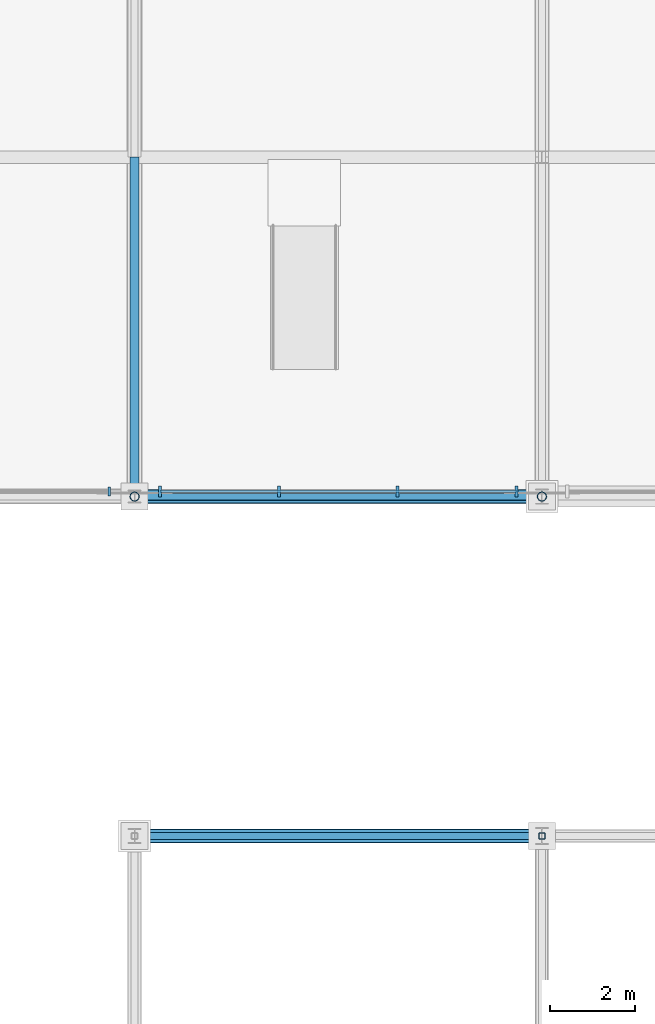
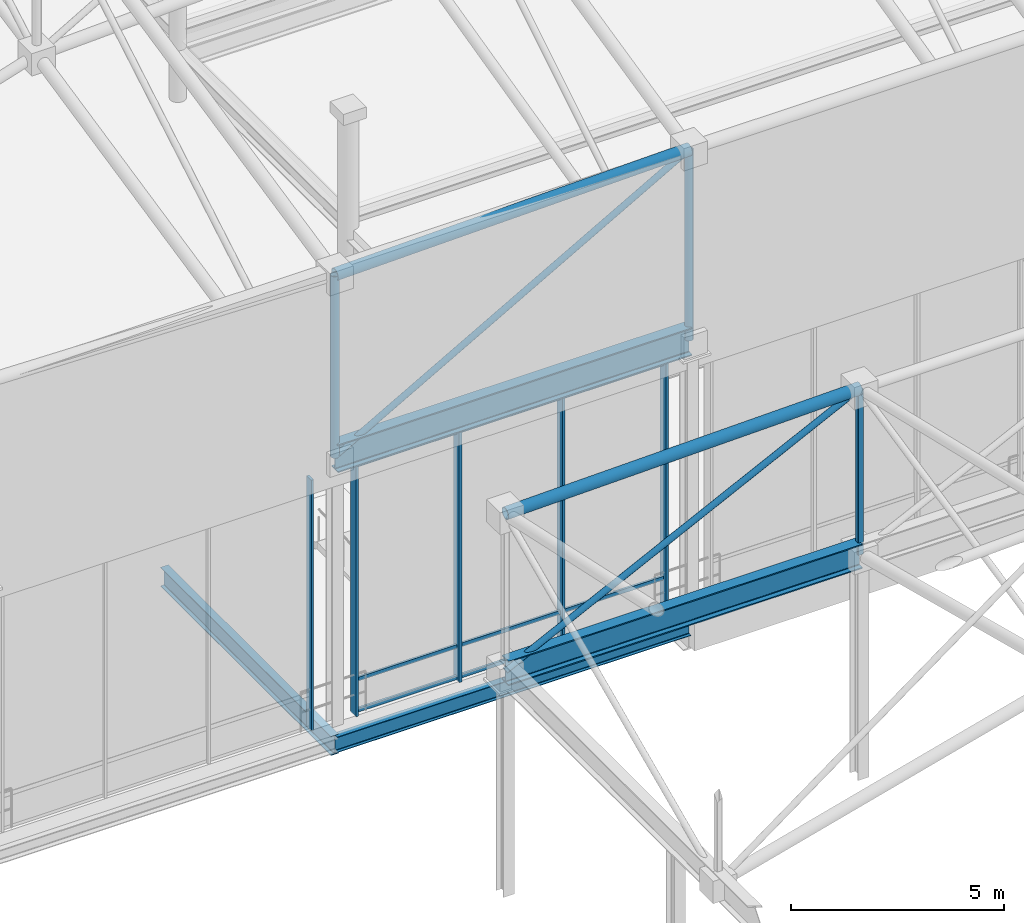
# One storey, part 91 of 193: 15 members, 4 beams, 2 elements without a shape of their own.
"""IFC4 building model written with IfcOpenShell, lengths in metres."""

from ifc_helpers import new_model, si_unit, direction, frame, origin, origin_2d, place, context, subcontext, project, spatial, rectangle, hollow_rectangle, hollow_circle, i_section, extrude, material, material_profile, profile_set, type_object, element, aggregate, save


model = new_model("IFC4")

# Units and contexts
model_context = context("Model", 3, precision=1e-05, world=origin(), true_north=direction((0.0, 1.0)))
body_context = subcontext(model_context, "Body", "Model", "MODEL_VIEW")
ifc_project = project(units=[si_unit("LENGTHUNIT", "METRE"), si_unit("AREAUNIT", "SQUARE_METRE"), si_unit("VOLUMEUNIT", "CUBIC_METRE"), si_unit("PLANEANGLEUNIT", "RADIAN"), si_unit("MASSUNIT", "GRAM", prefix="KILO")], contexts=[model_context])

# Site, building, storey
site_placement = place(None, origin())
site = spatial("IfcSite", under=ifc_project, at=site_placement, CompositionType="ELEMENT")
building_placement = place(site_placement, origin())
building = spatial("IfcBuilding", under=site, at=building_placement, Name="Danafjord Basin Convention Centre", CompositionType="ELEMENT")
storey_placement = place(building_placement, frame((0.0, 0.0, 11.39990234375)))
storey = spatial("IfcBuildingStorey", under=building, at=storey_placement, Name="L02", CompositionType="ELEMENT", Elevation=11.39990234375)

# Beams
ifc_material_1 = material(Name="Steel S355", Category="steel")
ifc_material_profile_1 = material_profile(ifc_material_1, i_section(OverallWidth=0.300048828125, OverallDepth=0.699951171875, WebThickness=0.01708984375, FlangeThickness=0.031982421875, FilletRadius=0.027099609375, at=origin_2d()), Name="HEB 700")
ifc_profile_set_1 = profile_set([ifc_material_profile_1], Name="Steel S355")
beam_type_1 = type_object("IfcBeamType", Name="BEAM-BM-HEB700", PredefinedType="BEAM", material=ifc_profile_set_1)
beam_1_placement = place(storey_placement, frame((144.0, 80.0, 6.35009765625), z_axis=(1.0, 0.0, 0.0), x_axis=(0.0, 1.0, 0.0)))
element("IfcBeam", 1, at=beam_1_placement, inside=storey, type_object=beam_type_1, Name="V3 space-frame perimeter ring girder", PredefinedType="BEAM", context=body_context, shape_type="SweptSolid", body=[
    extrude(i_section(OverallWidth=0.300048828125, OverallDepth=0.699951171875, WebThickness=0.01708984375, FlangeThickness=0.031982421875, FilletRadius=0.027099609375, at=origin_2d()), origin(), (0.0, 0.0, 1.0), 9.60009765625),
])
ifc_material_profile_2 = material_profile(ifc_material_1, i_section(OverallWidth=0.300048828125, OverallDepth=0.800048828125, WebThickness=0.017578125, FlangeThickness=0.032958984375, FilletRadius=0.030029296875, at=origin_2d()), Name="HEB 800")
ifc_profile_set_2 = profile_set([ifc_material_profile_2], Name="Steel S355")
beam_type_2 = type_object("IfcBeamType", Name="BEAM-BM-HEB800", PredefinedType="BEAM", material=ifc_profile_set_2)
beam_2_placement = place(storey_placement, frame((144.0, 88.0, 7.650146484375), z_axis=(1.0, 0.0, 0.0), x_axis=(0.0, 1.0, 0.0)))
element("IfcBeam", 2, at=beam_2_placement, inside=storey, type_object=beam_type_2, Name="V2 space-frame perimeter ring girder", PredefinedType="BEAM", context=body_context, shape_type="SweptSolid", body=[
    extrude(i_section(OverallWidth=0.300048828125, OverallDepth=0.800048828125, WebThickness=0.017578125, FlangeThickness=0.032958984375, FilletRadius=0.030029296875, at=origin_2d()), origin(), (0.0, 0.0, 1.0), 9.60009765625),
])
ifc_material_profile_3 = material_profile(ifc_material_1, i_section(OverallWidth=0.2099609375, OverallDepth=0.550048828125, WebThickness=0.010986328125, FlangeThickness=0.01708984375, FilletRadius=0.02392578125, at=origin_2d()), Name="IPE 550")
ifc_profile_set_3 = profile_set([ifc_material_profile_3], Name="Steel S355")
beam_type_3 = type_object("IfcBeamType", Name="BEAM-BM-IPE550", PredefinedType="BEAM", material=ifc_profile_set_3)
beam_3_placement = place(storey_placement, frame((144.0, 88.0, -0.635009765625), z_axis=(0.0, 1.0, 0.0), x_axis=(-1.0, 0.0, 0.0)))
element("IfcBeam", 3, at=beam_3_placement, inside=storey, type_object=beam_type_3, Name="L02 transverse girder BM-IPE550", PredefinedType="BEAM", context=body_context, shape_type="SweptSolid", body=[
    extrude(i_section(OverallWidth=0.2099609375, OverallDepth=0.550048828125, WebThickness=0.010986328125, FlangeThickness=0.01708984375, FilletRadius=0.02392578125, at=origin_2d()), origin(), (0.0, 0.0, 1.0), 8.0),
])
ifc_material_profile_4 = material_profile(ifc_material_1, i_section(OverallWidth=0.18994140625, OverallDepth=0.449951171875, WebThickness=0.009521484375, FlangeThickness=0.0146484375, FilletRadius=0.02099609375, at=origin_2d()), Name="IPE 450")
ifc_profile_set_4 = profile_set([ifc_material_profile_4], Name="Steel S355")
beam_type_4 = type_object("IfcBeamType", Name="BEAM-SP-IPE450", PredefinedType="SPANDREL", material=ifc_profile_set_4)
beam_4_placement = place(storey_placement, frame((144.0, 88.0, -0.5849609375), z_axis=(1.0, 0.0, 0.0), x_axis=(0.0, 1.0, 0.0)))
element("IfcBeam", 4, at=beam_4_placement, inside=storey, type_object=beam_type_4, Name="L02 girder SP-IPE450", PredefinedType="SPANDREL", context=body_context, shape_type="SweptSolid", body=[
    extrude(i_section(OverallWidth=0.18994140625, OverallDepth=0.449951171875, WebThickness=0.009521484375, FlangeThickness=0.0146484375, FilletRadius=0.02099609375, at=origin_2d()), origin(), (0.0, 0.0, 1.0), 9.60009765625),
])

# Members
ifc_material_profile_5 = material_profile(ifc_material_1, hollow_circle(Radius=0.161865234375, WallThickness=0.01611328125, at=origin_2d()), Name="CHS 323.9x16.0")
ifc_profile_set_5 = profile_set([ifc_material_profile_5], Name="Steel S355")
member_type_1 = type_object("IfcMemberType", Name="MEM-CH-CHS324", PredefinedType="CHORD", material=ifc_profile_set_5)
for number, where, z_axis, x_axis, name in (
    (5, (144.0, 88.0, 12.85009765625), (0.999725222215, 0.0, 0.023440991172), (0.0, 1.0, 0.0), "V2 roof truss longitudinal top chord"),
    (6, (144.0, 80.0, 10.85009765625), (0.999725222215, 0.0, 0.023440991172), (0.0, 1.0, 0.0), "V3 roof truss longitudinal top chord"),
):
    element("IfcMember", number, at=place(storey_placement, frame(where, z_axis=z_axis, x_axis=x_axis)), inside=storey, type_object=member_type_1, Name=name, PredefinedType="CHORD", context=body_context, shape_type="SweptSolid", body=[
        extrude(hollow_circle(Radius=0.161865234375, WallThickness=0.01611328125, at=origin_2d()), origin(), (0.0, 0.0, 1.0), 9.602783203125),
    ])

# Curtain wall, member
ifc_material_2 = material(Name="Anodised aluminium and triple glazing", Category="aluminium")
curtain_wall_type = type_object("IfcCurtainWallType", Name="CW-CW-DRUM", PredefinedType="NOTDEFINED", material=ifc_material_2)
curtain_wall_1_placement = place(storey_placement, origin())
curtain_wall_1 = element("IfcCurtainWall", 7, at=curtain_wall_1_placement, inside=storey, type_object=curtain_wall_type, Name="L02 CW-DRUM unitised curtain wall bay 122", PredefinedType="NOTDEFINED")
ifc_material_3 = material(Name="Anodised aluminium EN AW-6060", Category="aluminium")
ifc_material_profile_6 = material_profile(ifc_material_3, rectangle(XDim=0.06494140625, YDim=0.219970703125, at=origin_2d()), Name="MULL 65x220")
ifc_profile_set_6 = profile_set([ifc_material_profile_6], Name="Anodised aluminium EN AW-6060")
member_type_2 = type_object("IfcMemberType", Name="MEM-ML-220", PredefinedType="MULLION", material=ifc_profile_set_6)
member_1_placement = place(storey_placement, frame((143.39990234375, 88.1201171875, -0.02490234375), z_axis=(0.0, 0.0, 1.0), x_axis=(1.0, 0.0, 0.0)))
member_1 = element("IfcMember", 8, at=member_1_placement, type_object=member_type_2, Name="CW-L02-122 mullion 4", PredefinedType="MULLION", context=body_context, shape_type="SweptSolid", body=[
    extrude(rectangle(XDim=0.06494140625, YDim=0.219970703125, at=origin_2d()), origin(), (0.0, 0.0, 1.0), 7.18505859375),
])
aggregate(curtain_wall_1, [member_1])

# Curtain wall, members
curtain_wall_2_placement = place(storey_placement, origin())
curtain_wall_2 = element("IfcCurtainWall", 9, at=curtain_wall_2_placement, inside=storey, type_object=curtain_wall_type, Name="L02 CW-DRUM unitised curtain wall bay 123", PredefinedType="NOTDEFINED")
ifc_material_profile_7 = material_profile(ifc_material_3, rectangle(XDim=0.070068359375, YDim=0.260009765625, at=origin_2d()), Name="MULL 70x260")
ifc_profile_set_7 = profile_set([ifc_material_profile_7], Name="Anodised aluminium EN AW-6060")
member_type_3 = type_object("IfcMemberType", Name="MEM-ML-260", PredefinedType="MULLION", material=ifc_profile_set_7)
member_2_placement = place(storey_placement, frame((144.60009765625, 88.1201171875, -0.02490234375), z_axis=(0.0, 0.0, 1.0), x_axis=(1.0, 0.0, 0.0)))
member_2 = element("IfcMember", 10, at=member_2_placement, type_object=member_type_3, Name="CW-L02-123 mullion 1", PredefinedType="MULLION", context=body_context, shape_type="SweptSolid", body=[
    extrude(rectangle(XDim=0.070068359375, YDim=0.260009765625, at=origin_2d()), origin(), (0.0, 0.0, 1.0), 7.18505859375),
])
member_3_placement = place(storey_placement, frame((147.39990234375, 88.1201171875, -0.02490234375), z_axis=(0.0, 0.0, 1.0), x_axis=(1.0, 0.0, 0.0)))
member_3 = element("IfcMember", 11, at=member_3_placement, type_object=member_type_3, Name="CW-L02-123 mullion 2", PredefinedType="MULLION", context=body_context, shape_type="SweptSolid", body=[
    extrude(rectangle(XDim=0.070068359375, YDim=0.260009765625, at=origin_2d()), origin(), (0.0, 0.0, 1.0), 7.18505859375),
])
member_4_placement = place(storey_placement, frame((150.199951171875, 88.1201171875, -0.02490234375), z_axis=(0.0, 0.0, 1.0), x_axis=(1.0, 0.0, 0.0)))
member_4 = element("IfcMember", 12, at=member_4_placement, type_object=member_type_3, Name="CW-L02-123 mullion 3", PredefinedType="MULLION", context=body_context, shape_type="SweptSolid", body=[
    extrude(rectangle(XDim=0.070068359375, YDim=0.260009765625, at=origin_2d()), origin(), (0.0, 0.0, 1.0), 7.18505859375),
])
member_5_placement = place(storey_placement, frame((153.0, 88.1201171875, -0.02490234375), z_axis=(0.0, 0.0, 1.0), x_axis=(1.0, 0.0, 0.0)))
member_5 = element("IfcMember", 13, at=member_5_placement, type_object=member_type_3, Name="CW-L02-123 mullion 4", PredefinedType="MULLION", context=body_context, shape_type="SweptSolid", body=[
    extrude(rectangle(XDim=0.070068359375, YDim=0.260009765625, at=origin_2d()), origin(), (0.0, 0.0, 1.0), 7.18505859375),
])

# Members
ifc_material_profile_8 = material_profile(ifc_material_1, hollow_circle(Radius=0.109619140625, WallThickness=0.010009765625, at=origin_2d()), Name="CHS 219.1x10.0")
ifc_profile_set_8 = profile_set([ifc_material_profile_8], Name="Steel S355")
member_type_4 = type_object("IfcMemberType", Name="MEM-ST-CHS219", PredefinedType="STRUT", material=ifc_profile_set_8)
member_6_placement = place(storey_placement, frame((144.0, 88.0, 7.650146484375), z_axis=(0.0, 0.0, 1.0), x_axis=(1.0, 0.0, 0.0)))
element("IfcMember", 14, at=member_6_placement, inside=storey, type_object=member_type_4, Name="V2 roof truss vertical strut", PredefinedType="STRUT", context=body_context, shape_type="SweptSolid", body=[
    extrude(hollow_circle(Radius=0.109619140625, WallThickness=0.010009765625, at=origin_2d()), origin(), (0.0, 0.0, 1.0), 5.199951171875),
])
member_7_placement = place(storey_placement, frame((153.60009765625, 88.0, 7.650146484375), z_axis=(0.0, 0.0, 1.0), x_axis=(1.0, 0.0, 0.0)))
element("IfcMember", 15, at=member_7_placement, inside=storey, type_object=member_type_4, Name="V2 roof truss vertical strut", PredefinedType="STRUT", context=body_context, shape_type="SweptSolid", body=[
    extrude(hollow_circle(Radius=0.109619140625, WallThickness=0.010009765625, at=origin_2d()), origin(), (0.0, 0.0, 1.0), 5.425048828125),
])
ifc_material_profile_9 = material_profile(ifc_material_1, hollow_rectangle(XDim=0.14990234375, YDim=0.14990234375, WallThickness=0.008056640625, InnerFilletRadius=0.011962890625, OuterFilletRadius=0.02001953125, at=origin_2d()), Name="SHS 150x150x8.0")
ifc_profile_set_9 = profile_set([ifc_material_profile_9], Name="Steel S355")
member_type_5 = type_object("IfcMemberType", Name="MEM-ST-SHS150", PredefinedType="STRUT", material=ifc_profile_set_9)
member_8_placement = place(storey_placement, frame((153.60009765625, 80.0, 6.35009765625), z_axis=(0.0, 0.0, 1.0), x_axis=(1.0, 0.0, 0.0)))
element("IfcMember", 16, at=member_8_placement, inside=storey, type_object=member_type_5, Name="V3 roof truss vertical strut", PredefinedType="STRUT", context=body_context, shape_type="SweptSolid", body=[
    extrude(hollow_rectangle(XDim=0.14990234375, YDim=0.14990234375, WallThickness=0.008056640625, InnerFilletRadius=0.011962890625, OuterFilletRadius=0.02001953125, at=origin_2d()), origin(), (0.0, 0.0, 1.0), 4.72509765625),
])

# Member
ifc_material_profile_10 = material_profile(ifc_material_3, rectangle(XDim=0.06005859375, YDim=0.110107421875, at=origin_2d()), Name="TRAN 60x110")
ifc_profile_set_10 = profile_set([ifc_material_profile_10], Name="Anodised aluminium EN AW-6060")
member_type_6 = type_object("IfcMemberType", Name="MEM-TR-110", PredefinedType="USERDEFINED", material=ifc_profile_set_10)
member_9_placement = place(storey_placement, frame((144.60009765625, 88.1201171875, 0.06005859375), z_axis=(1.0, 0.0, 0.0), x_axis=(0.0, 1.0, 0.0)))
member_9 = element("IfcMember", 17, at=member_9_placement, type_object=member_type_6, Name="CW-L02-123 transom 1", ObjectType="TRANSOM", PredefinedType="USERDEFINED", context=body_context, shape_type="SweptSolid", body=[
    extrude(rectangle(XDim=0.06005859375, YDim=0.110107421875, at=origin_2d()), origin(), (0.0, 0.0, 1.0), 8.39990234375),
])

member_10_placement = place(storey_placement, frame((144.60009765625, 88.1201171875, 0.9501953125), z_axis=(1.0, 0.0, 0.0), x_axis=(0.0, 1.0, 0.0)))
member_10 = element("IfcMember", 18, at=member_10_placement, type_object=member_type_6, Name="CW-L02-123 transom 2", ObjectType="TRANSOM", PredefinedType="USERDEFINED", context=body_context, shape_type="SweptSolid", body=[
    extrude(rectangle(XDim=0.06005859375, YDim=0.110107421875, at=origin_2d()), origin(), (0.0, 0.0, 1.0), 8.39990234375),
])

member_11_placement = place(storey_placement, frame((144.60009765625, 88.1201171875, 7.090087890625), z_axis=(1.0, 0.0, 0.0), x_axis=(0.0, 1.0, 0.0)))
member_11 = element("IfcMember", 19, at=member_11_placement, type_object=member_type_6, Name="CW-L02-123 transom 3", ObjectType="TRANSOM", PredefinedType="USERDEFINED", context=body_context, shape_type="SweptSolid", body=[
    extrude(rectangle(XDim=0.06005859375, YDim=0.110107421875, at=origin_2d()), origin(), (0.0, 0.0, 1.0), 8.39990234375),
])

aggregate(curtain_wall_2, [member_2, member_3, member_4, member_5, member_9, member_10, member_11])

# Members
ifc_material_profile_11 = material_profile(ifc_material_1, hollow_circle(Radius=0.084228515625, WallThickness=0.008056640625, at=origin_2d()), Name="CHS 168.3x8.0")
ifc_profile_set_11 = profile_set([ifc_material_profile_11], Name="Steel S355")
member_type_7 = type_object("IfcMemberType", Name="MEM-WB-CHS168", PredefinedType="MEMBER", material=ifc_profile_set_11)
member_12_placement = place(storey_placement, frame((144.0, 88.0, 7.650146484375), z_axis=(0.870605308274, 0.0, 0.491982110655), x_axis=(0.0, 1.0, 0.0)))
element("IfcMember", 20, at=member_12_placement, inside=storey, type_object=member_type_7, Name="V2 space-frame longitudinal web", PredefinedType="MEMBER", context=body_context, shape_type="SweptSolid", body=[
    extrude(hollow_circle(Radius=0.084228515625, WallThickness=0.008056640625, at=origin_2d()), origin(), (0.0, 0.0, 1.0), 11.02685546875),
])
member_13_placement = place(storey_placement, frame((144.0, 80.0, 6.35009765625), z_axis=(0.897211568117, 0.0, 0.441600953393), x_axis=(0.0, 1.0, 0.0)))
element("IfcMember", 21, at=member_13_placement, inside=storey, type_object=member_type_7, Name="V3 space-frame longitudinal web", PredefinedType="MEMBER", context=body_context, shape_type="SweptSolid", body=[
    extrude(hollow_circle(Radius=0.084228515625, WallThickness=0.008056640625, at=origin_2d()), origin(), (0.0, 0.0, 1.0), 10.699951171875),
])

save(model, "model.ifc")
